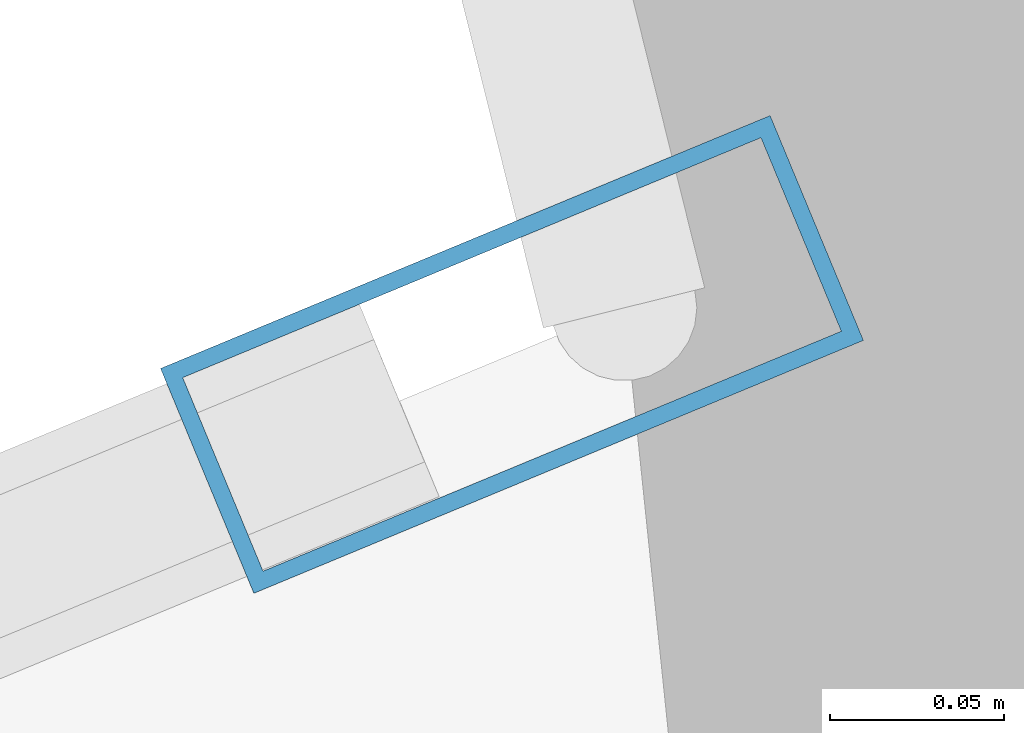
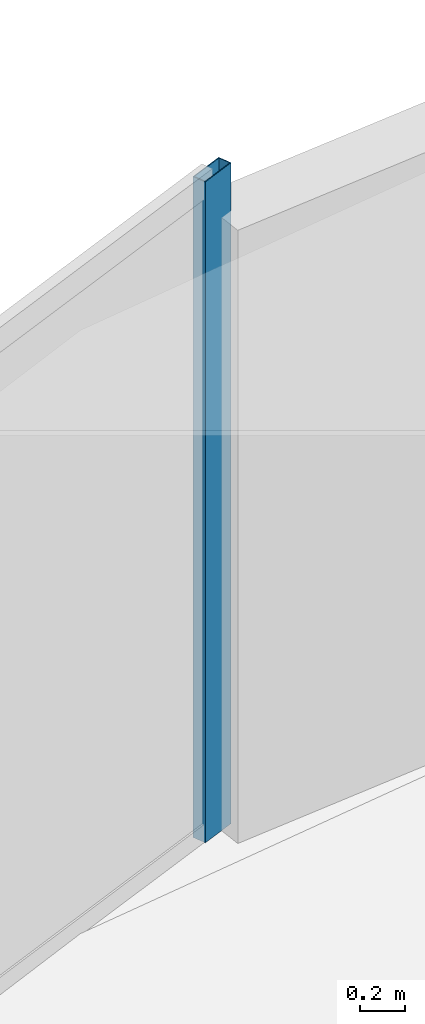
# One storey, part 16 of 26: 1 member, 1 element without a shape of its own.
"""IFC4 building model written with IfcOpenShell, lengths in metres."""

from ifc_helpers import new_model, si_unit, direction, frame, origin, origin_2d, place, context, subcontext, project, spatial, hollow_rectangle, extrude, source, transform, mapped, material, layer, layer_set, material_profile, profile_set, type_object, element, aggregate, save


model = new_model("IFC4")

# Units and contexts
model_context = context("Model", 3, precision=1e-05, world=origin(), true_north=direction((0.0, 1.0)))
body_context = subcontext(model_context, "Body", "Model", "MODEL_VIEW")
ifc_project = project(units=[si_unit("LENGTHUNIT", "METRE"), si_unit("AREAUNIT", "SQUARE_METRE"), si_unit("VOLUMEUNIT", "CUBIC_METRE"), si_unit("PLANEANGLEUNIT", "RADIAN"), si_unit("MASSUNIT", "GRAM", prefix="KILO")], contexts=[model_context])

# Site, building, storey
site_placement = place(None, origin())
site = spatial("IfcSite", under=ifc_project, at=site_placement, CompositionType="ELEMENT")
building_placement = place(site_placement, origin())
building = spatial("IfcBuilding", under=site, at=building_placement, Name="Solvirekh Grand Hotel", CompositionType="ELEMENT")
storey_placement = place(building_placement, frame((0.0, 0.0, 64.39990234375)))
storey = spatial("IfcBuildingStorey", under=building, at=storey_placement, Name="L15", CompositionType="ELEMENT", Elevation=64.39990234375)

# Curtain wall, member
ifc_material = material(Name="Anodized Bronze Aluminium 6063-T6", Category="aluminium")
ifc_layer = layer(ifc_material, 0.18994140625)
ifc_layer_set = layer_set([ifc_layer], Name="Anodized Bronze Aluminium 6063-T6")
curtain_wall_type = type_object("IfcCurtainWallType", Name="CW_Sys2_LowZoneFlushBronzeCW", PredefinedType="NOTDEFINED", material=ifc_layer_set)
curtain_wall_placement = place(storey_placement, origin())
curtain_wall = element("IfcCurtainWall", 1, at=curtain_wall_placement, inside=storey, type_object=curtain_wall_type, Name="L15 unitised bronze-glass curtain wall CW-L15-C08", PredefinedType="NOTDEFINED")
ifc_material_profile = material_profile(ifc_material, hollow_rectangle(XDim=0.070068359375, YDim=0.18994140625, WallThickness=0.0048828125, at=origin_2d()), Name="ALU RHS 190X70X5")
ifc_profile_set = profile_set([ifc_material_profile], Name="Anodized Bronze Aluminium 6063-T6")
member_type = type_object("IfcMemberType", Name="CWMullion_Sys2", PredefinedType="MULLION", material=ifc_profile_set)
shared_shape = source(origin(), body_context, "Body", "SweptSolid", [
    extrude(hollow_rectangle(XDim=0.070068359375, YDim=0.18994140625, WallThickness=0.0048828125, at=origin_2d()), origin(), (0.0, 0.0, 1.0), 3.60009765625),
])
member_placement = place(storey_placement, frame((-11.291259765625, 21.58447265625, 0.0), z_axis=(0.0, 0.0, 1.0), x_axis=(0.383241896503, -0.923648011293, 0.0)))
member = element("IfcMember", 2, at=member_placement, type_object=member_type, Name="U02 mullion 1", PredefinedType="MULLION", context=body_context, shape_type="MappedRepresentation", body=[
    mapped(shared_shape, transform((0.0, 0.0, 0.0), x_axis=(1.0, 0.0, 0.0), y_axis=(0.0, 1.0, 0.0), z_axis=(0.0, 0.0, 1.0), scale=1.0)),
])
aggregate(curtain_wall, [member])

save(model, "model.ifc")
